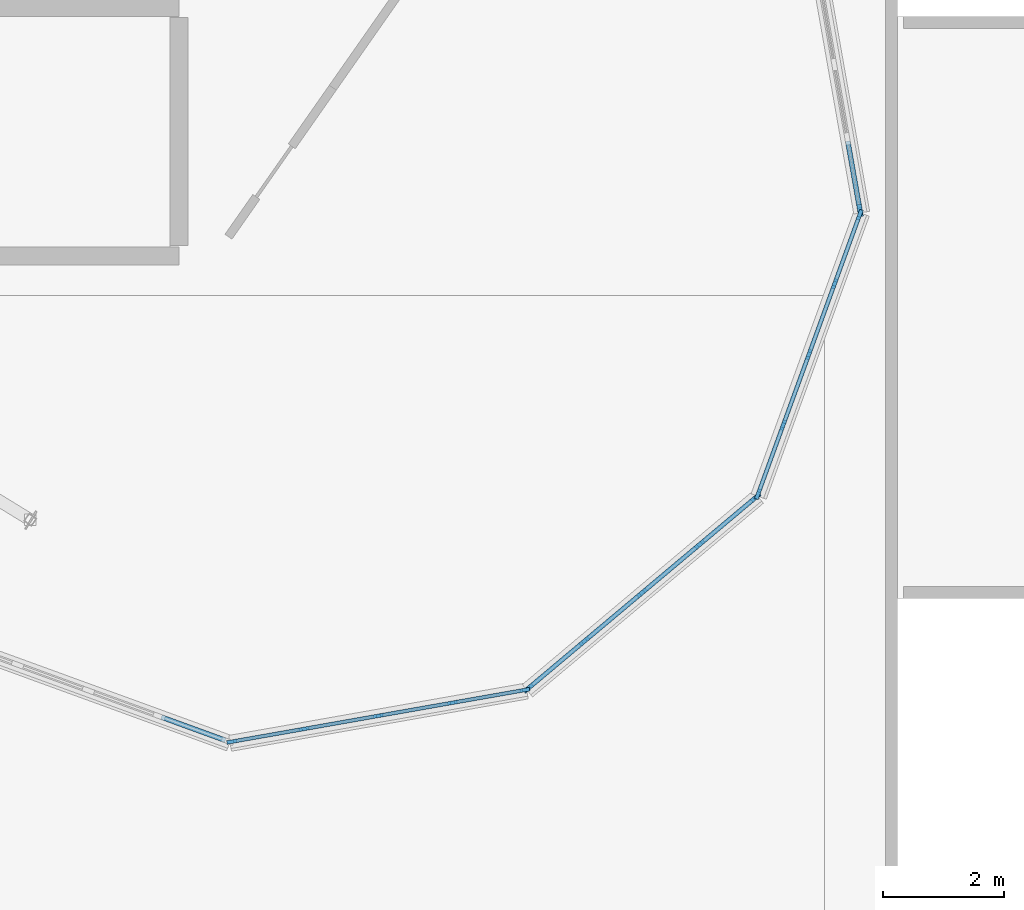
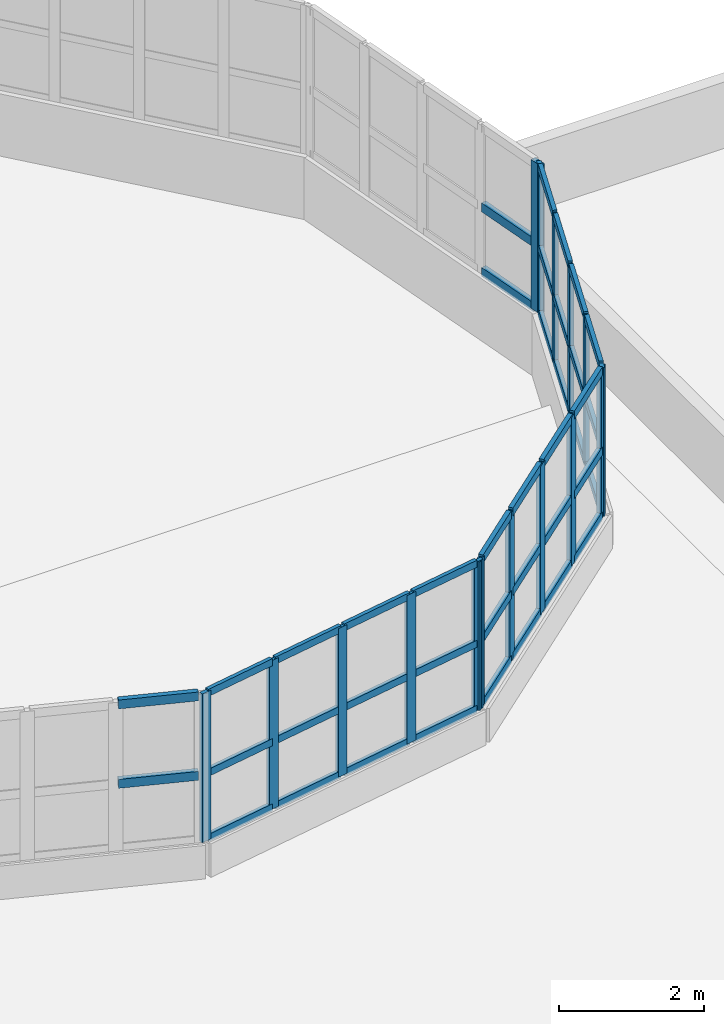
# One storey, part 49 of 128: 56 members, 5 elements without a shape of their own.
"""IFC4 building model written with IfcOpenShell, lengths in metres."""

from ifc_helpers import new_model, si_unit, direction, frame, origin, origin_2d, place, context, subcontext, project, spatial, rectangle, extrude, material, layer, layer_set, material_profile, profile_set, type_object, element, aggregate, save


model = new_model("IFC4")

# Units and contexts
model_context = context("Model", 3, precision=1e-05, world=origin(), true_north=direction((0.0, 1.0)))
body_context = subcontext(model_context, "Body", "Model", "MODEL_VIEW")
ifc_project = project(units=[si_unit("LENGTHUNIT", "METRE"), si_unit("AREAUNIT", "SQUARE_METRE"), si_unit("VOLUMEUNIT", "CUBIC_METRE"), si_unit("PLANEANGLEUNIT", "RADIAN"), si_unit("MASSUNIT", "GRAM", prefix="KILO")], contexts=[model_context])

# Site, building, storey
site_placement = place(None, origin())
site = spatial("IfcSite", under=ifc_project, at=site_placement, CompositionType="ELEMENT")
building_placement = place(site_placement, origin())
building = spatial("IfcBuilding", under=site, at=building_placement, Name="Tarnwether General Hospital", CompositionType="ELEMENT")
storey_placement = place(building_placement, frame((0.0, 0.0, 14.39990234375)))
storey = spatial("IfcBuildingStorey", under=building, at=storey_placement, Name="L03", CompositionType="ELEMENT", Elevation=14.39990234375)

# Curtain wall, members
ifc_material_1 = material(Name="Anodised aluminium", Category="aluminium")
ifc_layer = layer(ifc_material_1, 0.159912109375)
ifc_layer_set = layer_set([ifc_layer], Name="Anodised aluminium")
curtain_wall_type = type_object("IfcCurtainWallType", Name="CW-03", PredefinedType="NOTDEFINED", material=ifc_layer_set)
curtain_wall_1_placement = place(storey_placement, origin())
curtain_wall_1 = element("IfcCurtainWall", 1, at=curtain_wall_1_placement, inside=storey, type_object=curtain_wall_type, Name="Curtain Wall CWG-L03-1259_969-0017", PredefinedType="NOTDEFINED")
ifc_material_2 = material(Name="Anodised aluminium", Category="aluminium")
ifc_material_profile_1 = material_profile(ifc_material_2, rectangle(XDim=0.06005859375, YDim=0.159912109375, at=origin_2d()), Name="ALU-MUL-60x160")
ifc_profile_set_1 = profile_set([ifc_material_profile_1], Name="Anodised aluminium")
member_type_1 = type_object("IfcMemberType", Name="CW-ML1", PredefinedType="MULLION", material=ifc_profile_set_1)
member_1_placement = place(storey_placement, frame((125.853515625, 96.889892578125, 1.050048828125), z_axis=(0.0, 0.0, 1.0), x_axis=(0.173659059054, -0.984805834268, 0.0)))
member_1 = element("IfcMember", 2, at=member_1_placement, type_object=member_type_1, Name="CW-03 mullion 1", PredefinedType="MULLION", context=body_context, shape_type="SweptSolid", body=[
    extrude(rectangle(XDim=0.06005859375, YDim=0.159912109375, at=origin_2d()), origin(), (0.0, 0.0, 1.0), 2.510009765625),
])
member_2_placement = place(storey_placement, frame((124.659423828125, 96.67919921875, 1.050048828125), z_axis=(0.0, 0.0, 1.0), x_axis=(0.173659059054, -0.984805834268, 0.0)))
member_2 = element("IfcMember", 3, at=member_2_placement, type_object=member_type_1, Name="CW-03 mullion 2", PredefinedType="MULLION", context=body_context, shape_type="SweptSolid", body=[
    extrude(rectangle(XDim=0.06005859375, YDim=0.159912109375, at=origin_2d()), origin(), (0.0, 0.0, 1.0), 2.510009765625),
])
member_3_placement = place(storey_placement, frame((123.43603515625, 96.46337890625, 1.050048828125), z_axis=(0.0, 0.0, 1.0), x_axis=(0.173659059054, -0.984805834268, 0.0)))
member_3 = element("IfcMember", 4, at=member_3_placement, type_object=member_type_1, Name="CW-03 mullion 3", PredefinedType="MULLION", context=body_context, shape_type="SweptSolid", body=[
    extrude(rectangle(XDim=0.06005859375, YDim=0.159912109375, at=origin_2d()), origin(), (0.0, 0.0, 1.0), 2.510009765625),
])
member_4_placement = place(storey_placement, frame((122.21240234375, 96.247802734375, 1.050048828125), z_axis=(0.0, 0.0, 1.0), x_axis=(0.173659059054, -0.984805834268, 0.0)))
member_4 = element("IfcMember", 5, at=member_4_placement, type_object=member_type_1, Name="CW-03 mullion 4", PredefinedType="MULLION", context=body_context, shape_type="SweptSolid", body=[
    extrude(rectangle(XDim=0.06005859375, YDim=0.159912109375, at=origin_2d()), origin(), (0.0, 0.0, 1.0), 2.510009765625),
])
member_5_placement = place(storey_placement, frame((121.0185546875, 96.037109375, 1.050048828125), z_axis=(0.0, 0.0, 1.0), x_axis=(0.173659059054, -0.984805834268, 0.0)))
member_5 = element("IfcMember", 6, at=member_5_placement, type_object=member_type_1, Name="CW-03 mullion 5", PredefinedType="MULLION", context=body_context, shape_type="SweptSolid", body=[
    extrude(rectangle(XDim=0.06005859375, YDim=0.159912109375, at=origin_2d()), origin(), (0.0, 0.0, 1.0), 2.510009765625),
])

curtain_wall_2_placement = place(storey_placement, origin())
curtain_wall_2 = element("IfcCurtainWall", 7, at=curtain_wall_2_placement, inside=storey, type_object=curtain_wall_type, Name="Curtain Wall CWG-L03-1297_1001-0018", PredefinedType="NOTDEFINED")
ifc_material_3 = material(Name="Anodised aluminium", Category="aluminium")
ifc_material_profile_2 = material_profile(ifc_material_3, rectangle(XDim=0.070068359375, YDim=0.179931640625, at=origin_2d()), Name="ALU-MUL-70x180")
ifc_profile_set_2 = profile_set([ifc_material_profile_2], Name="Anodised aluminium")
member_type_2 = type_object("IfcMemberType", Name="CW-ML2", PredefinedType="MULLION", material=ifc_profile_set_2)
member_6_placement = place(storey_placement, frame((129.6630859375, 100.0673828125, 1.050048828125), z_axis=(0.0, 0.0, 1.0), x_axis=(0.64285227611, -0.765990176896, 0.0)))
member_6 = element("IfcMember", 8, at=member_6_placement, type_object=member_type_2, Name="CW-03 mullion 1", PredefinedType="MULLION", context=body_context, shape_type="SweptSolid", body=[
    extrude(rectangle(XDim=0.070068359375, YDim=0.179931640625, at=origin_2d()), origin(), (0.0, 0.0, 1.0), 2.510009765625),
])
member_7_placement = place(storey_placement, frame((128.73828125, 99.291259765625, 1.050048828125), z_axis=(0.0, 0.0, 1.0), x_axis=(0.64285227611, -0.765990176896, 0.0)))
member_7 = element("IfcMember", 9, at=member_7_placement, type_object=member_type_2, Name="CW-03 mullion 2", PredefinedType="MULLION", context=body_context, shape_type="SweptSolid", body=[
    extrude(rectangle(XDim=0.070068359375, YDim=0.179931640625, at=origin_2d()), origin(), (0.0, 0.0, 1.0), 2.510009765625),
])
member_8_placement = place(storey_placement, frame((127.78662109375, 98.492431640625, 1.050048828125), z_axis=(0.0, 0.0, 1.0), x_axis=(0.64285227611, -0.765990176896, 0.0)))
member_8 = element("IfcMember", 10, at=member_8_placement, type_object=member_type_2, Name="CW-03 mullion 3", PredefinedType="MULLION", context=body_context, shape_type="SweptSolid", body=[
    extrude(rectangle(XDim=0.070068359375, YDim=0.179931640625, at=origin_2d()), origin(), (0.0, 0.0, 1.0), 2.510009765625),
])
member_9_placement = place(storey_placement, frame((126.834716796875, 97.69384765625, 1.050048828125), z_axis=(0.0, 0.0, 1.0), x_axis=(0.64285227611, -0.765990176896, 0.0)))
member_9 = element("IfcMember", 11, at=member_9_placement, type_object=member_type_2, Name="CW-03 mullion 4", PredefinedType="MULLION", context=body_context, shape_type="SweptSolid", body=[
    extrude(rectangle(XDim=0.070068359375, YDim=0.179931640625, at=origin_2d()), origin(), (0.0, 0.0, 1.0), 2.510009765625),
])
member_10_placement = place(storey_placement, frame((125.909912109375, 96.91748046875, 1.050048828125), z_axis=(0.0, 0.0, 1.0), x_axis=(0.64285227611, -0.765990176896, 0.0)))
member_10 = element("IfcMember", 12, at=member_10_placement, type_object=member_type_2, Name="CW-03 mullion 5", PredefinedType="MULLION", context=body_context, shape_type="SweptSolid", body=[
    extrude(rectangle(XDim=0.070068359375, YDim=0.179931640625, at=origin_2d()), origin(), (0.0, 0.0, 1.0), 2.510009765625),
])

curtain_wall_3_placement = place(storey_placement, origin())
curtain_wall_3 = element("IfcCurtainWall", 13, at=curtain_wall_3_placement, inside=storey, type_object=curtain_wall_type, Name="Curtain Wall CWG-L03-1314_1048-0019", PredefinedType="NOTDEFINED")
ifc_material_4 = material(Name="Anodised aluminium", Category="aluminium")
ifc_material_profile_3 = material_profile(ifc_material_4, rectangle(XDim=0.06494140625, YDim=0.169921875, at=origin_2d()), Name="ALU-MUL-65x170")
ifc_profile_set_3 = profile_set([ifc_material_profile_3], Name="Anodised aluminium")
member_type_3 = type_object("IfcMemberType", Name="CW-ML3", PredefinedType="MULLION", material=ifc_profile_set_3)
member_11_placement = place(storey_placement, frame((131.3779296875, 104.728515625, 1.050048828125), z_axis=(0.0, 0.0, 1.0), x_axis=(0.939717006582, -0.341953136469, 0.0)))
member_11 = element("IfcMember", 14, at=member_11_placement, type_object=member_type_3, Name="CW-03 mullion 1", PredefinedType="MULLION", context=body_context, shape_type="SweptSolid", body=[
    extrude(rectangle(XDim=0.06494140625, YDim=0.169921875, at=origin_2d()), origin(), (0.0, 0.0, 1.0), 2.510009765625),
])
member_12_placement = place(storey_placement, frame((130.96435546875, 103.591796875, 1.050048828125), z_axis=(0.0, 0.0, 1.0), x_axis=(0.939717006582, -0.341953136469, 0.0)))
member_12 = element("IfcMember", 15, at=member_12_placement, type_object=member_type_3, Name="CW-03 mullion 2", PredefinedType="MULLION", context=body_context, shape_type="SweptSolid", body=[
    extrude(rectangle(XDim=0.06494140625, YDim=0.169921875, at=origin_2d()), origin(), (0.0, 0.0, 1.0), 2.510009765625),
])
member_13_placement = place(storey_placement, frame((130.53955078125, 102.424560546875, 1.050048828125), z_axis=(0.0, 0.0, 1.0), x_axis=(0.939717006582, -0.341953136469, 0.0)))
member_13 = element("IfcMember", 16, at=member_13_placement, type_object=member_type_3, Name="CW-03 mullion 3", PredefinedType="MULLION", context=body_context, shape_type="SweptSolid", body=[
    extrude(rectangle(XDim=0.06494140625, YDim=0.169921875, at=origin_2d()), origin(), (0.0, 0.0, 1.0), 2.510009765625),
])
member_14_placement = place(storey_placement, frame((130.11474609375, 101.25732421875, 1.050048828125), z_axis=(0.0, 0.0, 1.0), x_axis=(0.939717006582, -0.341953136469, 0.0)))
member_14 = element("IfcMember", 17, at=member_14_placement, type_object=member_type_3, Name="CW-03 mullion 4", PredefinedType="MULLION", context=body_context, shape_type="SweptSolid", body=[
    extrude(rectangle(XDim=0.06494140625, YDim=0.169921875, at=origin_2d()), origin(), (0.0, 0.0, 1.0), 2.510009765625),
])
member_15_placement = place(storey_placement, frame((129.701171875, 100.12060546875, 1.050048828125), z_axis=(0.0, 0.0, 1.0), x_axis=(0.939717006582, -0.341953136469, 0.0)))
member_15 = element("IfcMember", 18, at=member_15_placement, type_object=member_type_3, Name="CW-03 mullion 5", PredefinedType="MULLION", context=body_context, shape_type="SweptSolid", body=[
    extrude(rectangle(XDim=0.06494140625, YDim=0.169921875, at=origin_2d()), origin(), (0.0, 0.0, 1.0), 2.510009765625),
])

# Curtain wall, member
curtain_wall_4_placement = place(storey_placement, origin())
curtain_wall_4 = element("IfcCurtainWall", 19, at=curtain_wall_4_placement, inside=storey, type_object=curtain_wall_type, Name="Curtain Wall CWG-L03-1305_1097-0020", PredefinedType="NOTDEFINED")
ifc_material_5 = material(Name="Anodised aluminium", Category="aluminium")
ifc_material_profile_4 = material_profile(ifc_material_5, rectangle(XDim=0.080078125, YDim=0.199951171875, at=origin_2d()), Name="ALU-MUL-80x200")
ifc_profile_set_4 = profile_set([ifc_material_profile_4], Name="Anodised aluminium")
member_type_4 = type_object("IfcMemberType", Name="CW-ML4", PredefinedType="MULLION", material=ifc_profile_set_4)
member_16_placement = place(storey_placement, frame((131.382080078125, 104.79833984375, 1.050048828125), z_axis=(0.0, 0.0, 1.0), x_axis=(0.984840230098, 0.173463890135, 0.0)))
member_16 = element("IfcMember", 20, at=member_16_placement, type_object=member_type_4, Name="CW-03 mullion 5", PredefinedType="MULLION", context=body_context, shape_type="SweptSolid", body=[
    extrude(rectangle(XDim=0.080078125, YDim=0.199951171875, at=origin_2d()), origin(), (0.0, 0.0, 1.0), 2.510009765625),
])

# Member
ifc_material_6 = material(Name="Anodised aluminium", Category="aluminium")
ifc_material_profile_5 = material_profile(ifc_material_6, rectangle(XDim=0.06005859375, YDim=0.1201171875, at=origin_2d()), Name="ALU-TRN-60x120")
ifc_profile_set_5 = profile_set([ifc_material_profile_5], Name="Anodised aluminium")
member_type_5 = type_object("IfcMemberType", Name="CW-TR1", PredefinedType="USERDEFINED", material=ifc_profile_set_5)
member_17_placement = place(storey_placement, frame((125.823974609375, 96.884521484375, 1.080078125), z_axis=(-0.984834698435, -0.173495293185, 0.0), x_axis=(0.173495293185, -0.984834698435, 0.0)))
member_17 = element("IfcMember", 21, at=member_17_placement, type_object=member_type_5, Name="CW-03 transom 1.1", ObjectType="TRANSOM", PredefinedType="USERDEFINED", context=body_context, shape_type="SweptSolid", body=[
    extrude(rectangle(XDim=0.06005859375, YDim=0.1201171875, at=origin_2d()), origin(), (0.0, 0.0, 1.0), 1.152587890625),
])

member_18_placement = place(storey_placement, frame((125.823974609375, 96.884521484375, 2.1796875), z_axis=(-0.984834698435, -0.173495293185, 0.0), x_axis=(0.173495293185, -0.984834698435, 0.0)))
member_18 = element("IfcMember", 22, at=member_18_placement, type_object=member_type_5, Name="CW-03 transom 1.2", ObjectType="TRANSOM", PredefinedType="USERDEFINED", context=body_context, shape_type="SweptSolid", body=[
    extrude(rectangle(XDim=0.06005859375, YDim=0.1201171875, at=origin_2d()), origin(), (0.0, 0.0, 1.0), 1.152587890625),
])

member_19_placement = place(storey_placement, frame((125.823974609375, 96.884521484375, 3.530029296875), z_axis=(-0.984834698435, -0.173495293185, 0.0), x_axis=(0.173495293185, -0.984834698435, 0.0)))
member_19 = element("IfcMember", 23, at=member_19_placement, type_object=member_type_5, Name="CW-03 transom 1.3", ObjectType="TRANSOM", PredefinedType="USERDEFINED", context=body_context, shape_type="SweptSolid", body=[
    extrude(rectangle(XDim=0.06005859375, YDim=0.1201171875, at=origin_2d()), origin(), (0.0, 0.0, 1.0), 1.152587890625),
])

member_20_placement = place(storey_placement, frame((124.6298828125, 96.674072265625, 1.080078125), z_axis=(-0.984804340486, -0.173667529954, 0.0), x_axis=(0.173667529954, -0.984804340486, 0.0)))
member_20 = element("IfcMember", 24, at=member_20_placement, type_object=member_type_5, Name="CW-03 transom 2.1", ObjectType="TRANSOM", PredefinedType="USERDEFINED", context=body_context, shape_type="SweptSolid", body=[
    extrude(rectangle(XDim=0.06005859375, YDim=0.1201171875, at=origin_2d()), origin(), (0.0, 0.0, 1.0), 1.182373046875),
])

member_21_placement = place(storey_placement, frame((124.6298828125, 96.674072265625, 2.1796875), z_axis=(-0.984804340486, -0.173667529954, 0.0), x_axis=(0.173667529954, -0.984804340486, 0.0)))
member_21 = element("IfcMember", 25, at=member_21_placement, type_object=member_type_5, Name="CW-03 transom 2.2", ObjectType="TRANSOM", PredefinedType="USERDEFINED", context=body_context, shape_type="SweptSolid", body=[
    extrude(rectangle(XDim=0.06005859375, YDim=0.1201171875, at=origin_2d()), origin(), (0.0, 0.0, 1.0), 1.182373046875),
])

member_22_placement = place(storey_placement, frame((124.6298828125, 96.674072265625, 3.530029296875), z_axis=(-0.984804340486, -0.173667529954, 0.0), x_axis=(0.173667529954, -0.984804340486, 0.0)))
member_22 = element("IfcMember", 26, at=member_22_placement, type_object=member_type_5, Name="CW-03 transom 2.3", ObjectType="TRANSOM", PredefinedType="USERDEFINED", context=body_context, shape_type="SweptSolid", body=[
    extrude(rectangle(XDim=0.06005859375, YDim=0.1201171875, at=origin_2d()), origin(), (0.0, 0.0, 1.0), 1.182373046875),
])

member_23_placement = place(storey_placement, frame((123.406494140625, 96.458251953125, 1.080078125), z_axis=(-0.984810566748, -0.17363221942, 0.0), x_axis=(0.17363221942, -0.984810566748, 0.0)))
member_23 = element("IfcMember", 27, at=member_23_placement, type_object=member_type_5, Name="CW-03 transom 3.1", ObjectType="TRANSOM", PredefinedType="USERDEFINED", context=body_context, shape_type="SweptSolid", body=[
    extrude(rectangle(XDim=0.06005859375, YDim=0.1201171875, at=origin_2d()), origin(), (0.0, 0.0, 1.0), 1.1826171875),
])

member_24_placement = place(storey_placement, frame((123.406494140625, 96.458251953125, 2.1796875), z_axis=(-0.984810566748, -0.17363221942, 0.0), x_axis=(0.17363221942, -0.984810566748, 0.0)))
member_24 = element("IfcMember", 28, at=member_24_placement, type_object=member_type_5, Name="CW-03 transom 3.2", ObjectType="TRANSOM", PredefinedType="USERDEFINED", context=body_context, shape_type="SweptSolid", body=[
    extrude(rectangle(XDim=0.06005859375, YDim=0.1201171875, at=origin_2d()), origin(), (0.0, 0.0, 1.0), 1.1826171875),
])

member_25_placement = place(storey_placement, frame((123.406494140625, 96.458251953125, 3.530029296875), z_axis=(-0.984810566748, -0.17363221942, 0.0), x_axis=(0.17363221942, -0.984810566748, 0.0)))
member_25 = element("IfcMember", 29, at=member_25_placement, type_object=member_type_5, Name="CW-03 transom 3.3", ObjectType="TRANSOM", PredefinedType="USERDEFINED", context=body_context, shape_type="SweptSolid", body=[
    extrude(rectangle(XDim=0.06005859375, YDim=0.1201171875, at=origin_2d()), origin(), (0.0, 0.0, 1.0), 1.1826171875),
])

member_26_placement = place(storey_placement, frame((122.182861328125, 96.242431640625, 1.080078125), z_axis=(-0.984828319986, -0.173531496142, 0.0), x_axis=(0.173531496142, -0.984828319986, 0.0)))
member_26 = element("IfcMember", 30, at=member_26_placement, type_object=member_type_5, Name="CW-03 transom 4.1", ObjectType="TRANSOM", PredefinedType="USERDEFINED", context=body_context, shape_type="SweptSolid", body=[
    extrude(rectangle(XDim=0.06005859375, YDim=0.1201171875, at=origin_2d()), origin(), (0.0, 0.0, 1.0), 1.15234375),
])

member_27_placement = place(storey_placement, frame((122.182861328125, 96.242431640625, 2.1796875), z_axis=(-0.984828319986, -0.173531496142, 0.0), x_axis=(0.173531496142, -0.984828319986, 0.0)))
member_27 = element("IfcMember", 31, at=member_27_placement, type_object=member_type_5, Name="CW-03 transom 4.2", ObjectType="TRANSOM", PredefinedType="USERDEFINED", context=body_context, shape_type="SweptSolid", body=[
    extrude(rectangle(XDim=0.06005859375, YDim=0.1201171875, at=origin_2d()), origin(), (0.0, 0.0, 1.0), 1.15234375),
])

member_28_placement = place(storey_placement, frame((122.182861328125, 96.242431640625, 3.530029296875), z_axis=(-0.984828319986, -0.173531496142, 0.0), x_axis=(0.173531496142, -0.984828319986, 0.0)))
member_28 = element("IfcMember", 32, at=member_28_placement, type_object=member_type_5, Name="CW-03 transom 4.3", ObjectType="TRANSOM", PredefinedType="USERDEFINED", context=body_context, shape_type="SweptSolid", body=[
    extrude(rectangle(XDim=0.06005859375, YDim=0.1201171875, at=origin_2d()), origin(), (0.0, 0.0, 1.0), 1.15234375),
])

aggregate(curtain_wall_1, [member_1, member_2, member_3, member_4, member_5, member_17, member_18, member_19, member_20, member_21, member_22, member_23, member_24, member_25, member_26, member_27, member_28])

ifc_material_7 = material(Name="Anodised aluminium", Category="aluminium")
ifc_material_profile_6 = material_profile(ifc_material_7, rectangle(XDim=0.070068359375, YDim=0.139892578125, at=origin_2d()), Name="ALU-TRN-70x140")
ifc_profile_set_6 = profile_set([ifc_material_profile_6], Name="Anodised aluminium")
member_type_6 = type_object("IfcMemberType", Name="CW-TR2", PredefinedType="USERDEFINED", material=ifc_profile_set_6)
member_29_placement = place(storey_placement, frame((129.636474609375, 100.044921875, 1.085205078125), z_axis=(-0.766017660128, -0.642819527062, 0.0), x_axis=(0.642819527062, -0.766017660128, 0.0)))
member_29 = element("IfcMember", 33, at=member_29_placement, type_object=member_type_6, Name="CW-03 transom 1.1", ObjectType="TRANSOM", PredefinedType="USERDEFINED", context=body_context, shape_type="SweptSolid", body=[
    extrude(rectangle(XDim=0.070068359375, YDim=0.139892578125, at=origin_2d()), origin(), (0.0, 0.0, 1.0), 1.137451171875),
])

member_30_placement = place(storey_placement, frame((129.636474609375, 100.044921875, 2.1796875), z_axis=(-0.766017660128, -0.642819527062, 0.0), x_axis=(0.642819527062, -0.766017660128, 0.0)))
member_30 = element("IfcMember", 34, at=member_30_placement, type_object=member_type_6, Name="CW-03 transom 1.2", ObjectType="TRANSOM", PredefinedType="USERDEFINED", context=body_context, shape_type="SweptSolid", body=[
    extrude(rectangle(XDim=0.070068359375, YDim=0.139892578125, at=origin_2d()), origin(), (0.0, 0.0, 1.0), 1.137451171875),
])

member_31_placement = place(storey_placement, frame((129.636474609375, 100.044921875, 3.525146484375), z_axis=(-0.766017660128, -0.642819527062, 0.0), x_axis=(0.642819527062, -0.766017660128, 0.0)))
member_31 = element("IfcMember", 35, at=member_31_placement, type_object=member_type_6, Name="CW-03 transom 1.3", ObjectType="TRANSOM", PredefinedType="USERDEFINED", context=body_context, shape_type="SweptSolid", body=[
    extrude(rectangle(XDim=0.070068359375, YDim=0.139892578125, at=origin_2d()), origin(), (0.0, 0.0, 1.0), 1.137451171875),
])

member_32_placement = place(storey_placement, frame((128.71142578125, 99.268798828125, 1.085205078125), z_axis=(-0.765946792519, -0.642903967191, 0.0), x_axis=(0.642903967191, -0.765946792519, 0.0)))
member_32 = element("IfcMember", 36, at=member_32_placement, type_object=member_type_6, Name="CW-03 transom 2.1", ObjectType="TRANSOM", PredefinedType="USERDEFINED", context=body_context, shape_type="SweptSolid", body=[
    extrude(rectangle(XDim=0.070068359375, YDim=0.139892578125, at=origin_2d()), origin(), (0.0, 0.0, 1.0), 1.172607421875),
])

member_33_placement = place(storey_placement, frame((128.71142578125, 99.268798828125, 2.1796875), z_axis=(-0.765946792519, -0.642903967191, 0.0), x_axis=(0.642903967191, -0.765946792519, 0.0)))
member_33 = element("IfcMember", 37, at=member_33_placement, type_object=member_type_6, Name="CW-03 transom 2.2", ObjectType="TRANSOM", PredefinedType="USERDEFINED", context=body_context, shape_type="SweptSolid", body=[
    extrude(rectangle(XDim=0.070068359375, YDim=0.139892578125, at=origin_2d()), origin(), (0.0, 0.0, 1.0), 1.172607421875),
])

member_34_placement = place(storey_placement, frame((128.71142578125, 99.268798828125, 3.525146484375), z_axis=(-0.765946792519, -0.642903967191, 0.0), x_axis=(0.642903967191, -0.765946792519, 0.0)))
member_34 = element("IfcMember", 38, at=member_34_placement, type_object=member_type_6, Name="CW-03 transom 2.3", ObjectType="TRANSOM", PredefinedType="USERDEFINED", context=body_context, shape_type="SweptSolid", body=[
    extrude(rectangle(XDim=0.070068359375, YDim=0.139892578125, at=origin_2d()), origin(), (0.0, 0.0, 1.0), 1.172607421875),
])

member_35_placement = place(storey_placement, frame((127.759765625, 98.469970703125, 1.085205078125), z_axis=(-0.766049317662, -0.642781800387, 0.0), x_axis=(0.642781800387, -0.766049317662, 0.0)))
member_35 = element("IfcMember", 39, at=member_35_placement, type_object=member_type_6, Name="CW-03 transom 3.1", ObjectType="TRANSOM", PredefinedType="USERDEFINED", context=body_context, shape_type="SweptSolid", body=[
    extrude(rectangle(XDim=0.070068359375, YDim=0.139892578125, at=origin_2d()), origin(), (0.0, 0.0, 1.0), 1.172607421875),
])

member_36_placement = place(storey_placement, frame((127.759765625, 98.469970703125, 2.1796875), z_axis=(-0.766049317662, -0.642781800387, 0.0), x_axis=(0.642781800387, -0.766049317662, 0.0)))
member_36 = element("IfcMember", 40, at=member_36_placement, type_object=member_type_6, Name="CW-03 transom 3.2", ObjectType="TRANSOM", PredefinedType="USERDEFINED", context=body_context, shape_type="SweptSolid", body=[
    extrude(rectangle(XDim=0.070068359375, YDim=0.139892578125, at=origin_2d()), origin(), (0.0, 0.0, 1.0), 1.172607421875),
])

member_37_placement = place(storey_placement, frame((127.759765625, 98.469970703125, 3.525146484375), z_axis=(-0.766049317662, -0.642781800387, 0.0), x_axis=(0.642781800387, -0.766049317662, 0.0)))
member_37 = element("IfcMember", 41, at=member_37_placement, type_object=member_type_6, Name="CW-03 transom 3.3", ObjectType="TRANSOM", PredefinedType="USERDEFINED", context=body_context, shape_type="SweptSolid", body=[
    extrude(rectangle(XDim=0.070068359375, YDim=0.139892578125, at=origin_2d()), origin(), (0.0, 0.0, 1.0), 1.172607421875),
])

member_38_placement = place(storey_placement, frame((126.807861328125, 97.671142578125, 1.085205078125), z_axis=(-0.766017660128, -0.642819527062, 0.0), x_axis=(0.642819527062, -0.766017660128, 0.0)))
member_38 = element("IfcMember", 42, at=member_38_placement, type_object=member_type_6, Name="CW-03 transom 4.1", ObjectType="TRANSOM", PredefinedType="USERDEFINED", context=body_context, shape_type="SweptSolid", body=[
    extrude(rectangle(XDim=0.070068359375, YDim=0.139892578125, at=origin_2d()), origin(), (0.0, 0.0, 1.0), 1.137451171875),
])

member_39_placement = place(storey_placement, frame((126.807861328125, 97.671142578125, 2.1796875), z_axis=(-0.766017660128, -0.642819527062, 0.0), x_axis=(0.642819527062, -0.766017660128, 0.0)))
member_39 = element("IfcMember", 43, at=member_39_placement, type_object=member_type_6, Name="CW-03 transom 4.2", ObjectType="TRANSOM", PredefinedType="USERDEFINED", context=body_context, shape_type="SweptSolid", body=[
    extrude(rectangle(XDim=0.070068359375, YDim=0.139892578125, at=origin_2d()), origin(), (0.0, 0.0, 1.0), 1.137451171875),
])

member_40_placement = place(storey_placement, frame((126.807861328125, 97.671142578125, 3.525146484375), z_axis=(-0.766017660128, -0.642819527062, 0.0), x_axis=(0.642819527062, -0.766017660128, 0.0)))
member_40 = element("IfcMember", 44, at=member_40_placement, type_object=member_type_6, Name="CW-03 transom 4.3", ObjectType="TRANSOM", PredefinedType="USERDEFINED", context=body_context, shape_type="SweptSolid", body=[
    extrude(rectangle(XDim=0.070068359375, YDim=0.139892578125, at=origin_2d()), origin(), (0.0, 0.0, 1.0), 1.137451171875),
])

aggregate(curtain_wall_2, [member_6, member_7, member_8, member_9, member_10, member_29, member_30, member_31, member_32, member_33, member_34, member_35, member_36, member_37, member_38, member_39, member_40])

ifc_material_8 = material(Name="Anodised aluminium", Category="aluminium")
ifc_material_profile_7 = material_profile(ifc_material_8, rectangle(XDim=0.06494140625, YDim=0.1298828125, at=origin_2d()), Name="ALU-TRN-65x130")
ifc_profile_set_7 = profile_set([ifc_material_profile_7], Name="Anodised aluminium")
member_type_7 = type_object("IfcMemberType", Name="CW-TR3", PredefinedType="USERDEFINED", material=ifc_profile_set_7)
member_41_placement = place(storey_placement, frame((131.36669921875, 104.697998046875, 1.08251953125), z_axis=(-0.341897184747, -0.939737364939, 0.0), x_axis=(0.939737364939, -0.341897184747, 0.0)))
member_41 = element("IfcMember", 45, at=member_41_placement, type_object=member_type_7, Name="CW-03 transom 1.1", ObjectType="TRANSOM", PredefinedType="USERDEFINED", context=body_context, shape_type="SweptSolid", body=[
    extrude(rectangle(XDim=0.06494140625, YDim=0.1298828125, at=origin_2d()), origin(), (0.0, 0.0, 1.0), 1.144775390625),
])

member_42_placement = place(storey_placement, frame((131.36669921875, 104.697998046875, 2.1796875), z_axis=(-0.341897184747, -0.939737364939, 0.0), x_axis=(0.939737364939, -0.341897184747, 0.0)))
member_42 = element("IfcMember", 46, at=member_42_placement, type_object=member_type_7, Name="CW-03 transom 1.2", ObjectType="TRANSOM", PredefinedType="USERDEFINED", context=body_context, shape_type="SweptSolid", body=[
    extrude(rectangle(XDim=0.06494140625, YDim=0.1298828125, at=origin_2d()), origin(), (0.0, 0.0, 1.0), 1.144775390625),
])

member_43_placement = place(storey_placement, frame((131.36669921875, 104.697998046875, 3.527587890625), z_axis=(-0.341897184747, -0.939737364939, 0.0), x_axis=(0.939737364939, -0.341897184747, 0.0)))
member_43 = element("IfcMember", 47, at=member_43_placement, type_object=member_type_7, Name="CW-03 transom 1.3", ObjectType="TRANSOM", PredefinedType="USERDEFINED", context=body_context, shape_type="SweptSolid", body=[
    extrude(rectangle(XDim=0.06494140625, YDim=0.1298828125, at=origin_2d()), origin(), (0.0, 0.0, 1.0), 1.144775390625),
])

member_44_placement = place(storey_placement, frame((130.953125, 103.561279296875, 1.08251953125), z_axis=(-0.341992832203, -0.939702560772, 0.0), x_axis=(0.939702560772, -0.341992832203, 0.0)))
member_44 = element("IfcMember", 48, at=member_44_placement, type_object=member_type_7, Name="CW-03 transom 2.1", ObjectType="TRANSOM", PredefinedType="USERDEFINED", context=body_context, shape_type="SweptSolid", body=[
    extrude(rectangle(XDim=0.06494140625, YDim=0.1298828125, at=origin_2d()), origin(), (0.0, 0.0, 1.0), 1.17724609375),
])

member_45_placement = place(storey_placement, frame((130.953125, 103.561279296875, 2.1796875), z_axis=(-0.341992832203, -0.939702560772, 0.0), x_axis=(0.939702560772, -0.341992832203, 0.0)))
member_45 = element("IfcMember", 49, at=member_45_placement, type_object=member_type_7, Name="CW-03 transom 2.2", ObjectType="TRANSOM", PredefinedType="USERDEFINED", context=body_context, shape_type="SweptSolid", body=[
    extrude(rectangle(XDim=0.06494140625, YDim=0.1298828125, at=origin_2d()), origin(), (0.0, 0.0, 1.0), 1.17724609375),
])

member_46_placement = place(storey_placement, frame((130.953125, 103.561279296875, 3.527587890625), z_axis=(-0.341992832203, -0.939702560772, 0.0), x_axis=(0.939702560772, -0.341992832203, 0.0)))
member_46 = element("IfcMember", 50, at=member_46_placement, type_object=member_type_7, Name="CW-03 transom 2.3", ObjectType="TRANSOM", PredefinedType="USERDEFINED", context=body_context, shape_type="SweptSolid", body=[
    extrude(rectangle(XDim=0.06494140625, YDim=0.1298828125, at=origin_2d()), origin(), (0.0, 0.0, 1.0), 1.17724609375),
])

member_47_placement = place(storey_placement, frame((130.5283203125, 102.39404296875, 1.08251953125), z_axis=(-0.341809675268, -0.939769198204, 0.0), x_axis=(0.939769198204, -0.341809675268, 0.0)))
member_47 = element("IfcMember", 51, at=member_47_placement, type_object=member_type_7, Name="CW-03 transom 3.1", ObjectType="TRANSOM", PredefinedType="USERDEFINED", context=body_context, shape_type="SweptSolid", body=[
    extrude(rectangle(XDim=0.06494140625, YDim=0.1298828125, at=origin_2d()), origin(), (0.0, 0.0, 1.0), 1.177001953125),
])

member_48_placement = place(storey_placement, frame((130.5283203125, 102.39404296875, 2.1796875), z_axis=(-0.341809675268, -0.939769198204, 0.0), x_axis=(0.939769198204, -0.341809675268, 0.0)))
member_48 = element("IfcMember", 52, at=member_48_placement, type_object=member_type_7, Name="CW-03 transom 3.2", ObjectType="TRANSOM", PredefinedType="USERDEFINED", context=body_context, shape_type="SweptSolid", body=[
    extrude(rectangle(XDim=0.06494140625, YDim=0.1298828125, at=origin_2d()), origin(), (0.0, 0.0, 1.0), 1.177001953125),
])

member_49_placement = place(storey_placement, frame((130.5283203125, 102.39404296875, 3.527587890625), z_axis=(-0.341809675268, -0.939769198204, 0.0), x_axis=(0.939769198204, -0.341809675268, 0.0)))
member_49 = element("IfcMember", 53, at=member_49_placement, type_object=member_type_7, Name="CW-03 transom 3.3", ObjectType="TRANSOM", PredefinedType="USERDEFINED", context=body_context, shape_type="SweptSolid", body=[
    extrude(rectangle(XDim=0.06494140625, YDim=0.1298828125, at=origin_2d()), origin(), (0.0, 0.0, 1.0), 1.177001953125),
])

member_50_placement = place(storey_placement, frame((130.103515625, 101.226806640625, 1.08251953125), z_axis=(-0.341897184747, -0.939737364939, 0.0), x_axis=(0.939737364939, -0.341897184747, 0.0)))
member_50 = element("IfcMember", 54, at=member_50_placement, type_object=member_type_7, Name="CW-03 transom 4.1", ObjectType="TRANSOM", PredefinedType="USERDEFINED", context=body_context, shape_type="SweptSolid", body=[
    extrude(rectangle(XDim=0.06494140625, YDim=0.1298828125, at=origin_2d()), origin(), (0.0, 0.0, 1.0), 1.144775390625),
])

member_51_placement = place(storey_placement, frame((130.103515625, 101.226806640625, 2.1796875), z_axis=(-0.341897184747, -0.939737364939, 0.0), x_axis=(0.939737364939, -0.341897184747, 0.0)))
member_51 = element("IfcMember", 55, at=member_51_placement, type_object=member_type_7, Name="CW-03 transom 4.2", ObjectType="TRANSOM", PredefinedType="USERDEFINED", context=body_context, shape_type="SweptSolid", body=[
    extrude(rectangle(XDim=0.06494140625, YDim=0.1298828125, at=origin_2d()), origin(), (0.0, 0.0, 1.0), 1.144775390625),
])

member_52_placement = place(storey_placement, frame((130.103515625, 101.226806640625, 3.527587890625), z_axis=(-0.341897184747, -0.939737364939, 0.0), x_axis=(0.939737364939, -0.341897184747, 0.0)))
member_52 = element("IfcMember", 56, at=member_52_placement, type_object=member_type_7, Name="CW-03 transom 4.3", ObjectType="TRANSOM", PredefinedType="USERDEFINED", context=body_context, shape_type="SweptSolid", body=[
    extrude(rectangle(XDim=0.06494140625, YDim=0.1298828125, at=origin_2d()), origin(), (0.0, 0.0, 1.0), 1.144775390625),
])

aggregate(curtain_wall_3, [member_11, member_12, member_13, member_14, member_15, member_41, member_42, member_43, member_44, member_45, member_46, member_47, member_48, member_49, member_50, member_51, member_52])

# Curtain wall, members
curtain_wall_5_placement = place(storey_placement, origin())
curtain_wall_5 = element("IfcCurtainWall", 57, at=curtain_wall_5_placement, inside=storey, type_object=curtain_wall_type, Name="Curtain Wall CWG-L03-1210_960-0016", PredefinedType="NOTDEFINED")
ifc_material_9 = material(Name="Anodised aluminium", Category="aluminium")
ifc_material_profile_8 = material_profile(ifc_material_9, rectangle(XDim=0.080078125, YDim=0.14990234375, at=origin_2d()), Name="ALU-TRN-80x150")
ifc_profile_set_8 = profile_set([ifc_material_profile_8], Name="Anodised aluminium")
member_type_8 = type_object("IfcMemberType", Name="CW-TR4", PredefinedType="USERDEFINED", material=ifc_profile_set_8)
member_53_placement = place(storey_placement, frame((120.913818359375, 96.059326171875, 2.1796875), z_axis=(-0.939621801611, 0.342214654766, 0.0), x_axis=(-0.342214654766, -0.939621801611, 0.0)))
member_53 = element("IfcMember", 58, at=member_53_placement, type_object=member_type_8, Name="CW-03 transom 1.2", ObjectType="TRANSOM", PredefinedType="USERDEFINED", context=body_context, shape_type="SweptSolid", body=[
    extrude(rectangle(XDim=0.080078125, YDim=0.14990234375, at=origin_2d()), origin(), (0.0, 0.0, 1.0), 1.122314453125),
])
member_54_placement = place(storey_placement, frame((120.913818359375, 96.059326171875, 3.52001953125), z_axis=(-0.939621801611, 0.342214654766, 0.0), x_axis=(-0.342214654766, -0.939621801611, 0.0)))
member_54 = element("IfcMember", 59, at=member_54_placement, type_object=member_type_8, Name="CW-03 transom 1.3", ObjectType="TRANSOM", PredefinedType="USERDEFINED", context=body_context, shape_type="SweptSolid", body=[
    extrude(rectangle(XDim=0.080078125, YDim=0.14990234375, at=origin_2d()), origin(), (0.0, 0.0, 1.0), 1.122314453125),
])
aggregate(curtain_wall_5, [member_53, member_54])

# Member
member_55_placement = place(storey_placement, frame((131.180419921875, 105.943115234375, 1.090087890625), z_axis=(0.173599178383, -0.984816391651, 0.0), x_axis=(0.984816391651, 0.173599178383, 0.0)))
member_55 = element("IfcMember", 60, at=member_55_placement, type_object=member_type_8, Name="CW-03 transom 4.1", ObjectType="TRANSOM", PredefinedType="USERDEFINED", context=body_context, shape_type="SweptSolid", body=[
    extrude(rectangle(XDim=0.080078125, YDim=0.14990234375, at=origin_2d()), origin(), (0.0, 0.0, 1.0), 1.122314453125),
])

member_56_placement = place(storey_placement, frame((131.180419921875, 105.943115234375, 2.1796875), z_axis=(0.173599178383, -0.984816391651, 0.0), x_axis=(0.984816391651, 0.173599178383, 0.0)))
member_56 = element("IfcMember", 61, at=member_56_placement, type_object=member_type_8, Name="CW-03 transom 4.2", ObjectType="TRANSOM", PredefinedType="USERDEFINED", context=body_context, shape_type="SweptSolid", body=[
    extrude(rectangle(XDim=0.080078125, YDim=0.14990234375, at=origin_2d()), origin(), (0.0, 0.0, 1.0), 1.122314453125),
])

aggregate(curtain_wall_4, [member_16, member_55, member_56])

save(model, "model.ifc")
